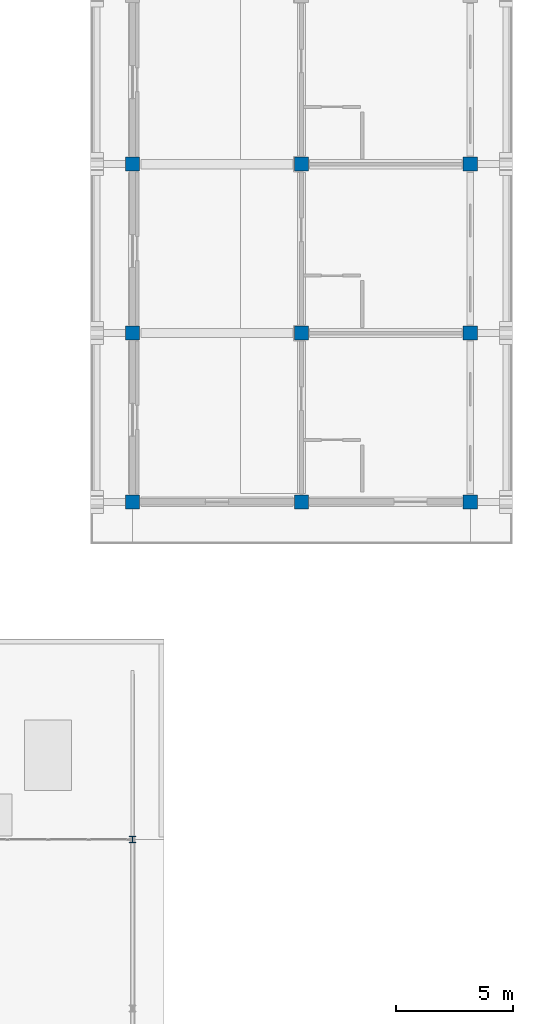
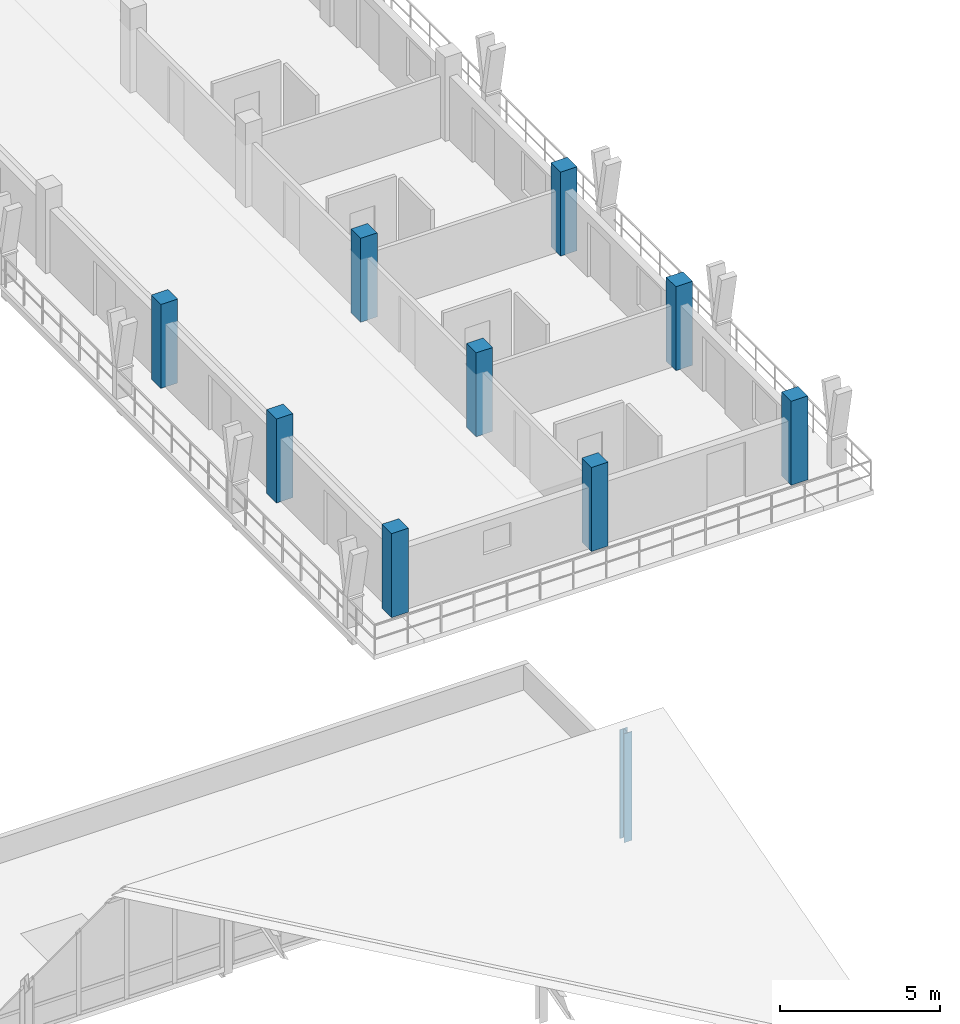
# One storey, part 15 of 157: 10 columns.
"""IFC4 building model written with IfcOpenShell, lengths in metres."""

from ifc_helpers import new_model, si_unit, direction, frame, origin, origin_2d, place, context, subcontext, project, spatial, rectangle, i_section, extrude, material, material_profile, profile_set, type_object, element, save


model = new_model("IFC4")

# Units and contexts
model_context = context("Model", 3, precision=1e-05, world=origin(), true_north=direction((0.0, 1.0)))
body_context = subcontext(model_context, "Body", "Model", "MODEL_VIEW")
ifc_project = project(units=[si_unit("LENGTHUNIT", "METRE"), si_unit("AREAUNIT", "SQUARE_METRE"), si_unit("VOLUMEUNIT", "CUBIC_METRE"), si_unit("PLANEANGLEUNIT", "RADIAN"), si_unit("MASSUNIT", "GRAM", prefix="KILO")], contexts=[model_context])

# Site, building, storey
site_placement = place(None, origin())
site = spatial("IfcSite", under=ifc_project, at=site_placement, CompositionType="ELEMENT")
building_placement = place(site_placement, origin())
building = spatial("IfcBuilding", under=site, at=building_placement, Name="Suanplinth Sawtooth Commons", CompositionType="ELEMENT")
storey_placement = place(building_placement, frame((0.0, 0.0, 9.0)))
storey = spatial("IfcBuildingStorey", under=building, at=storey_placement, Name="L02", CompositionType="ELEMENT", Elevation=9.0)

# Columns
ifc_material_1 = material(Name="Precast concrete C40/50", Category="concrete")
ifc_material_profile_1 = material_profile(ifc_material_1, rectangle(XDim=0.60009765625, YDim=0.60009765625, at=origin_2d()), Name="PC-COL 600x600")
ifc_profile_set_1 = profile_set([ifc_material_profile_1], Name="Precast concrete C40/50")
column_type_1 = type_object("IfcColumnType", Name="C-04", PredefinedType="COLUMN", material=ifc_profile_set_1)
for number, where, z_axis, x_axis, name in (
    (1, (172.800048828125, 79.199951171875, 0.0), (0.0, 0.0, 1.0), (1.0, 0.0, 0.0), "Column L02 25/M"),
    (2, (172.800048828125, 86.39990234375, 0.0), (0.0, 0.0, 1.0), (1.0, 0.0, 0.0), "Column L02 25/N"),
    (3, (172.800048828125, 93.60009765625, 0.0), (0.0, 0.0, 1.0), (1.0, 0.0, 0.0), "Column L02 25/P"),
    (4, (180.0, 79.199951171875, 0.0), (0.0, 0.0, 1.0), (1.0, 0.0, 0.0), "Column L02 26/M"),
    (5, (180.0, 86.39990234375, 0.0), (0.0, 0.0, 1.0), (1.0, 0.0, 0.0), "Column L02 26/N"),
    (6, (180.0, 93.60009765625, 0.0), (0.0, 0.0, 1.0), (1.0, 0.0, 0.0), "Column L02 26/P"),
    (7, (187.199951171875, 79.199951171875, 0.0), (0.0, 0.0, 1.0), (1.0, 0.0, 0.0), "Column L02 27/M"),
    (8, (187.199951171875, 86.39990234375, 0.0), (0.0, 0.0, 1.0), (1.0, 0.0, 0.0), "Column L02 27/N"),
    (9, (187.199951171875, 93.60009765625, 0.0), (0.0, 0.0, 1.0), (1.0, 0.0, 0.0), "Column L02 27/P"),
):
    element("IfcColumn", number, at=place(storey_placement, frame(where, z_axis=z_axis, x_axis=x_axis)), inside=storey, type_object=column_type_1, Name=name, PredefinedType="COLUMN", context=body_context, shape_type="SweptSolid", body=[
        extrude(rectangle(XDim=0.60009765625, YDim=0.60009765625, at=origin_2d()), origin(), (0.0, 0.0, 1.0), 3.199951171875),
    ])
ifc_material_2 = material(Name="Steel S355JR", Category="steel")
ifc_material_profile_2 = material_profile(ifc_material_2, i_section(OverallWidth=0.280029296875, OverallDepth=0.280029296875, WebThickness=0.010498046875, FlangeThickness=0.01806640625, at=origin_2d()), Name="HEB 280")
ifc_profile_set_2 = profile_set([ifc_material_profile_2], Name="Steel S355JR")
column_type_2 = type_object("IfcColumnType", Name="C-11", PredefinedType="COLUMN", material=ifc_profile_set_2)
column_placement = place(storey_placement, frame((172.800048828125, 64.800048828125, 0.0), z_axis=(0.0, 0.0, 1.0), x_axis=(1.0, 0.0, 0.0)))
element("IfcColumn", 10, at=column_placement, inside=storey, type_object=column_type_2, Name="Nursery Ridge Steel Post 25", PredefinedType="COLUMN", context=body_context, shape_type="SweptSolid", body=[
    extrude(i_section(OverallWidth=0.280029296875, OverallDepth=0.280029296875, WebThickness=0.010498046875, FlangeThickness=0.01806640625, at=origin_2d()), origin(), (0.0, 0.0, 1.0), 4.14990234375),
])

save(model, "model.ifc")
